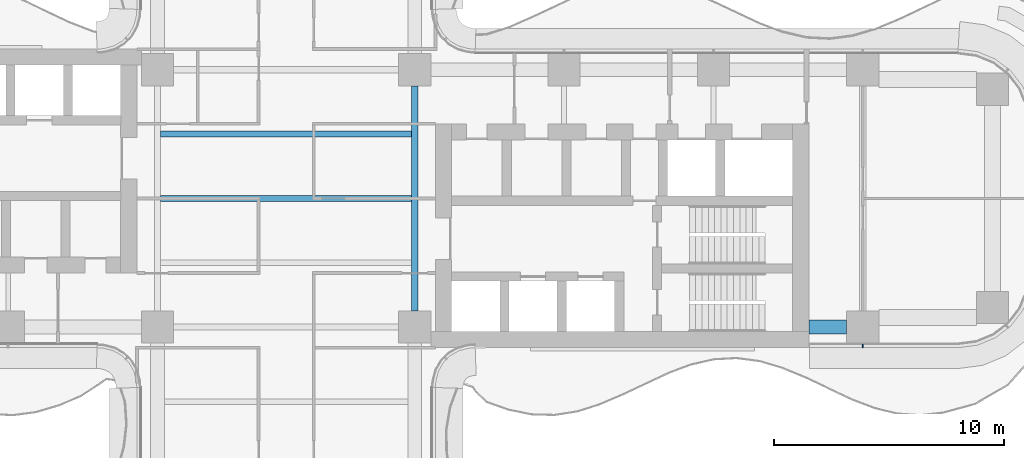
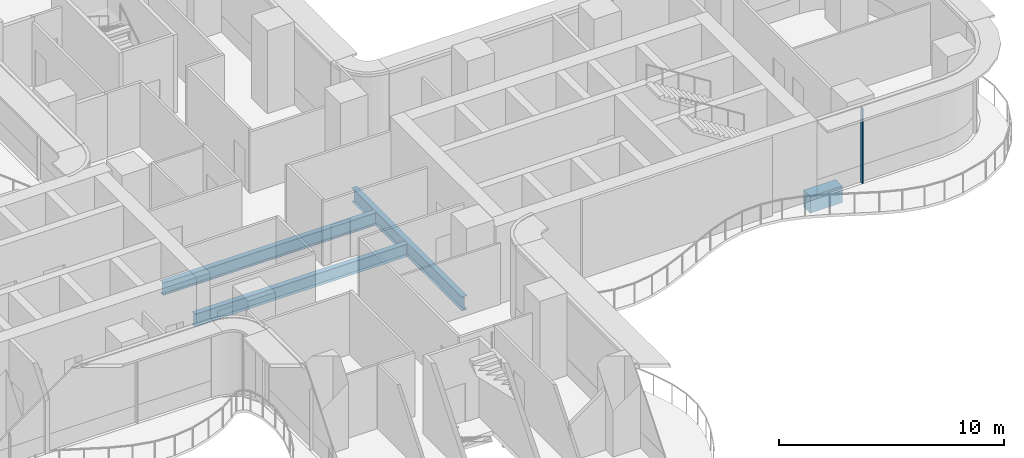
# One storey, part 6 of 22: 4 beams, 1 member, 1 element without a shape of its own.
"""IFC4 building model written with IfcOpenShell, lengths in metres."""

from ifc_helpers import new_model, si_unit, direction, frame, origin, origin_2d, place, context, subcontext, project, spatial, rectangle, i_section, extrude, source, transform, mapped, material, layer, layer_set, material_profile, profile_set, type_object, element, aggregate, save


model = new_model("IFC4")

# Units and contexts
model_context = context("Model", 3, precision=1e-05, world=origin(), true_north=direction((0.0, 1.0)))
body_context = subcontext(model_context, "Body", "Model", "MODEL_VIEW")
ifc_project = project(units=[si_unit("LENGTHUNIT", "METRE"), si_unit("AREAUNIT", "SQUARE_METRE"), si_unit("VOLUMEUNIT", "CUBIC_METRE"), si_unit("PLANEANGLEUNIT", "RADIAN"), si_unit("MASSUNIT", "GRAM", prefix="KILO")], contexts=[model_context])

# Site, building, storey
site_placement = place(None, origin())
site = spatial("IfcSite", under=ifc_project, at=site_placement, CompositionType="ELEMENT")
building_placement = place(site_placement, origin())
building = spatial("IfcBuilding", under=site, at=building_placement, Name="Trellis Farm Tower", CompositionType="ELEMENT")
storey_placement = place(building_placement, frame((0.0, 0.0, 65.5)))
storey = spatial("IfcBuildingStorey", under=building, at=storey_placement, Name="L13", CompositionType="ELEMENT", Elevation=65.5)

# Beams
ifc_material_1 = material(Name="Steel S355", Category="steel")
ifc_material_profile_1 = material_profile(ifc_material_1, i_section(OverallWidth=0.253662109375, OverallDepth=0.68359375, WebThickness=0.012451171875, FlangeThickness=0.021728515625, FilletRadius=0.01513671875, at=origin_2d()), Name="UB 686x254x140")
ifc_profile_set_1 = profile_set([ifc_material_profile_1], Name="Steel S355")
beam_type_1 = type_object("IfcBeamType", Name="UB 686x254x140 joist", PredefinedType="JOIST", material=ifc_profile_set_1)
shared_shape_1 = source(origin(), body_context, "Body", "SweptSolid", [
    extrude(i_section(OverallWidth=0.253662109375, OverallDepth=0.68359375, WebThickness=0.012451171875, FlangeThickness=0.021728515625, FilletRadius=0.01513671875, at=origin_2d()), origin(), (0.0, 0.0, 1.0), 10.93310546875),
])
for number, where, z_axis, x_axis, name in (
    (1, (-5.466552734375, 0.0, -0.591796875), (1.0, 0.0, 0.0), (0.0, 1.0, 0.0), "Floor beam"),
    (2, (-5.466552734375, 2.800048828125, -0.591796875), (1.0, 0.0, 0.0), (0.0, 1.0, 0.0), "Floor beam"),
):
    element("IfcBeam", number, at=place(storey_placement, frame(where, z_axis=z_axis, x_axis=x_axis)), inside=storey, type_object=beam_type_1, Name=name, PredefinedType="JOIST", context=body_context, shape_type="MappedRepresentation", body=[
        mapped(shared_shape_1, transform((0.0, 0.0, 0.0))),
    ])
ifc_material_profile_2 = material_profile(ifc_material_1, i_section(OverallWidth=0.2666015625, OverallDepth=0.76220703125, WebThickness=0.014404296875, FlangeThickness=0.021484375, FilletRadius=0.0166015625, at=origin_2d()), Name="UB 762x267x173")
ifc_profile_set_2 = profile_set([ifc_material_profile_2], Name="Steel S355")
beam_type_2 = type_object("IfcBeamType", Name="UB 762x267x173", PredefinedType="BEAM", material=ifc_profile_set_2)
shared_shape_2 = source(origin(), body_context, "Body", "SweptSolid", [
    extrude(i_section(OverallWidth=0.2666015625, OverallDepth=0.76220703125, WebThickness=0.014404296875, FlangeThickness=0.021484375, FilletRadius=0.0166015625, at=origin_2d()), origin(), (0.0, 0.0, 1.0), 9.7998046875),
])
beam_1_placement = place(storey_placement, frame((5.60009765625, -4.89990234375, -0.631103515625), z_axis=(0.0, 1.0, 0.0), x_axis=(-1.0, 0.0, 0.0)))
element("IfcBeam", 3, at=beam_1_placement, inside=storey, type_object=beam_type_2, Name="Girder", PredefinedType="BEAM", context=body_context, shape_type="MappedRepresentation", body=[
    mapped(shared_shape_2, transform((0.0, 0.0, 0.0))),
])
ifc_material_2 = material(Name="Concrete C60/75", Category="concrete")
ifc_material_profile_3 = material_profile(ifc_material_2, rectangle(XDim=0.60009765625, YDim=0.89990234375, at=origin_2d()), Name="RC spandrel beam 600x900 C60/75")
ifc_profile_set_3 = profile_set([ifc_material_profile_3], Name="Concrete C60/75")
beam_type_3 = type_object("IfcBeamType", Name="RC spandrel beam 600x900 C60/75", PredefinedType="SPANDREL", material=ifc_profile_set_3)
shared_shape_3 = source(origin(), body_context, "Body", "SweptSolid", [
    extrude(rectangle(XDim=0.60009765625, YDim=0.89990234375, at=origin_2d()), origin(), (0.0, 0.0, 1.0), 1.64990234375),
])
beam_2_placement = place(storey_placement, frame((22.75, -5.60009765625, -0.699951171875), z_axis=(1.0, 0.0, 0.0), x_axis=(0.0, 1.0, 0.0)))
element("IfcBeam", 4, at=beam_2_placement, inside=storey, type_object=beam_type_3, Name="Girder", PredefinedType="SPANDREL", context=body_context, shape_type="MappedRepresentation", body=[
    mapped(shared_shape_3, transform((0.0, 0.0, 0.0))),
])

# Curtain wall, member
ifc_material_3 = material(Name="Aluminium and glass curtain wall", Category="aluminium")
ifc_layer = layer(ifc_material_3, 0.18994140625)
ifc_layer_set = layer_set([ifc_layer], Name="RIBBON CURTAIN WALL CW1")
curtain_wall_type = type_object("IfcCurtainWallType", Name="RIBBON CURTAIN WALL CW1", PredefinedType="NOTDEFINED", material=ifc_layer_set)
curtain_wall_placement = place(storey_placement, origin())
curtain_wall = element("IfcCurtainWall", 5, at=curtain_wall_placement, inside=storey, type_object=curtain_wall_type, Name="CW1 006", PredefinedType="NOTDEFINED")
ifc_material_4 = material(Name="Aluminium extrusion 6063-T6", Category="aluminium")
ifc_material_profile_4 = material_profile(ifc_material_4, rectangle(XDim=0.06005859375, YDim=0.14990234375, at=origin_2d()), Name="MULLION 60x150")
ifc_profile_set_4 = profile_set([ifc_material_profile_4], Name="Aluminium extrusion 6063-T6")
member_type = type_object("IfcMemberType", Name="CW1 MULLION 60x150", PredefinedType="MULLION", material=ifc_profile_set_4)
shared_shape_4 = source(origin(), body_context, "Body", "SweptSolid", [
    extrude(rectangle(XDim=0.06005859375, YDim=0.14990234375, at=origin_2d()), origin(), (0.0, 0.0, 1.0), 4.070068359375),
])
member_placement = place(storey_placement, frame((25.10009765625, -6.425048828125, 0.0), z_axis=(0.0, 0.0, 1.0), x_axis=(1.0, 0.0, 0.0)))
member = element("IfcMember", 6, at=member_placement, type_object=member_type, Name="MU1 006-01", PredefinedType="MULLION", context=body_context, shape_type="MappedRepresentation", body=[
    mapped(shared_shape_4, transform((0.0, 0.0, 0.0))),
])
aggregate(curtain_wall, [member])

save(model, "model.ifc")
